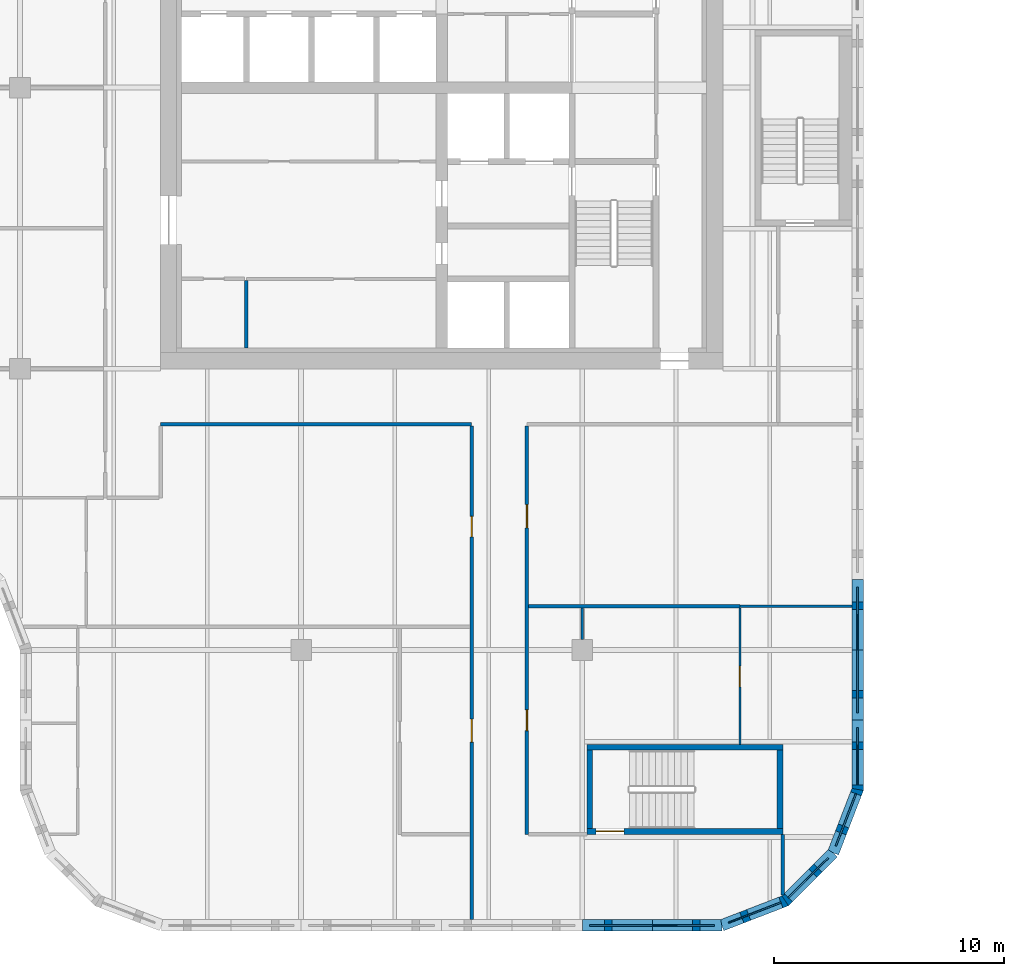
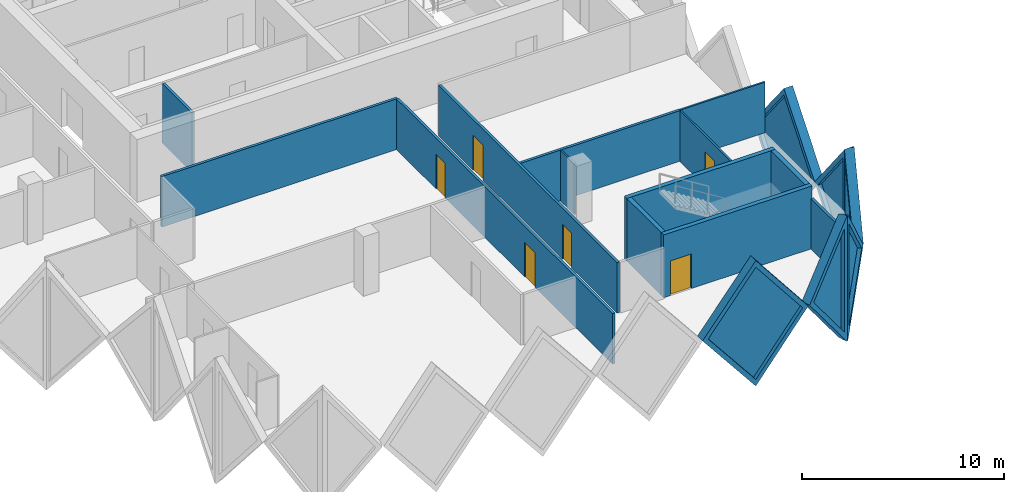
# One storey, part 5 of 13: 19 walls, 6 doors, 6 plates, 12 openings.
"""IFC4 building model written with IfcOpenShell, lengths in metres."""

from ifc_helpers import new_model, si_unit, direction, frame, frame_2d, origin, place, context, subcontext, project, spatial, polyline, rectangle, outline, extrude, faceted_brep, source, transform, mapped, material, layer, layer_set, type_object, element, fill, save


model = new_model("IFC4")

# Units and contexts
model_context = context("Model", 3, precision=1e-05, world=origin(), true_north=direction((0.0, 1.0)))
body_context = subcontext(model_context, "Body", "Model", "MODEL_VIEW")
ifc_project = project(units=[si_unit("LENGTHUNIT", "METRE"), si_unit("AREAUNIT", "SQUARE_METRE"), si_unit("VOLUMEUNIT", "CUBIC_METRE"), si_unit("PLANEANGLEUNIT", "RADIAN"), si_unit("MASSUNIT", "GRAM", prefix="KILO")], contexts=[model_context])

# Site, building, storey
site_placement = place(None, origin())
site = spatial("IfcSite", under=ifc_project, at=site_placement, CompositionType="ELEMENT")
building_placement = place(site_placement, origin())
building = spatial("IfcBuilding", under=site, at=building_placement, Name="Tessera Gate Towers", CompositionType="ELEMENT")
storey_placement = place(building_placement, frame((0.0, 0.0, 116.39990234375)))
storey = spatial("IfcBuildingStorey", under=building, at=storey_placement, Name="L28", CompositionType="ELEMENT", Elevation=116.39990234375)

# Wall, opening, door
ifc_material_1 = material(Name="Concrete C40/50", Category="concrete")
ifc_layer_1 = layer(ifc_material_1, 0.25)
ifc_layer_set_1 = layer_set([ifc_layer_1], Name="CORE ENCLOSURE WALL 250")
wall_type_1 = type_object("IfcWallType", Name="CORE ENCLOSURE WALL 250", PredefinedType="SOLIDWALL", material=ifc_layer_set_1)
wall_1_placement = place(storey_placement, frame((57.5, 4.324951171875, 0.0), z_axis=(0.0, 0.0, 1.0), x_axis=(-1.0, 0.0, 0.0)))
wall_1 = element("IfcWall", 1, at=wall_1_placement, inside=storey, type_object=wall_type_1, Name="L28 ST4 enclosure wall", PredefinedType="SOLIDWALL", context=body_context, shape_type="SweptSolid", body=[
    extrude(rectangle(XDim=8.5, YDim=0.25, at=frame_2d((4.25, 0.0))), origin(), (0.0, 0.0, 1.0), 3.800048828125),
])
shared_shape_1 = source(origin(), body_context, "Body", "SweptSolid", [
    extrude(rectangle(XDim=1.199951171875, YDim=2.10009765625, at=frame_2d((0.60009765625, 1.050048828125))), frame((0.0, 0.135009765625, 0.0), z_axis=(0.0, -1.0, 0.0), x_axis=(1.0, 0.0, 0.0)), (0.0, 0.0, 1.0), 0.27001953125),
])
opening_1_placement = place(wall_1_placement, frame((6.89990234375, 0.0, 0.0)))
opening_1 = element("IfcOpeningElement", 2, at=opening_1_placement, cuts=wall_1, Name="Opening SD-ST4-1", PredefinedType="OPENING", context=body_context, shape_type="MappedRepresentation", body=[
    mapped(shared_shape_1, transform((0.0, 0.0, 0.0), scale=1.0)),
])
ifc_material_2 = material(Name="Hollow steel fire door", Category="steel")
door_type_1 = type_object("IfcDoorType", Name="CORE DOOR SD 1200x2100", OperationType="NOTDEFINED", PredefinedType="DOOR", material=ifc_material_2)
shared_shape_2 = source(origin(), body_context, "Body", "SweptSolid", [
    extrude(rectangle(XDim=1.199951171875, YDim=2.10009765625, at=frame_2d((0.60009765625, 1.050048828125))), frame((0.0, 0.02490234375, 0.0), z_axis=(0.0, -1.0, 0.0), x_axis=(1.0, 0.0, 0.0)), (0.0, 0.0, 1.0), 0.050048828125),
])
door_1_placement = place(opening_1_placement, origin())
door_1 = element("IfcDoor", 3, at=door_1_placement, inside=storey, type_object=door_type_1, Name="Stair door", OperationType="SINGLE_SWING_RIGHT", OverallHeight=2.10009765625, OverallWidth=1.199951171875, PredefinedType="DOOR", context=body_context, shape_type="MappedRepresentation", body=[
    mapped(shared_shape_2, transform((0.0, 0.0, 0.0), scale=1.0)),
])
fill(opening_1, door_1)

# Walls
wall_2_placement = place(storey_placement, frame((49.125, 4.449951171875, 0.0), z_axis=(0.0, 0.0, 1.0), x_axis=(0.0, 1.0, 0.0)))
element("IfcWall", 4, at=wall_2_placement, inside=storey, type_object=wall_type_1, Name="L28 ST4 enclosure wall", PredefinedType="SOLIDWALL", context=body_context, shape_type="SweptSolid", body=[
    extrude(rectangle(XDim=3.400146484375, YDim=0.25, at=frame_2d((1.7001953125, 0.0))), origin(), (0.0, 0.0, 1.0), 3.800048828125),
])
wall_3_placement = place(storey_placement, frame((49.0, 7.97509765625, 0.0), z_axis=(0.0, 0.0, 1.0), x_axis=(1.0, 0.0, 0.0)))
element("IfcWall", 5, at=wall_3_placement, inside=storey, type_object=wall_type_1, Name="L28 ST4 enclosure wall", PredefinedType="SOLIDWALL", context=body_context, shape_type="SweptSolid", body=[
    extrude(rectangle(XDim=8.5, YDim=0.25, at=frame_2d((4.25, 0.0))), origin(), (0.0, 0.0, 1.0), 3.800048828125),
])
wall_4_placement = place(storey_placement, frame((57.375, 7.85009765625, 0.0), z_axis=(0.0, 0.0, 1.0), x_axis=(0.0, -1.0, 0.0)))
element("IfcWall", 6, at=wall_4_placement, inside=storey, type_object=wall_type_1, Name="L28 ST4 enclosure wall", PredefinedType="SOLIDWALL", context=body_context, shape_type="SweptSolid", body=[
    extrude(rectangle(XDim=3.400146484375, YDim=0.25, at=frame_2d((1.7001953125, 0.0))), origin(), (0.0, 0.0, 1.0), 3.800048828125),
])

# Wall, openings, doors
ifc_material_3 = material(Name="Gypsum board on steel studs, mineral wool", Category="steel")
ifc_layer_2 = layer(ifc_material_3, 0.14990234375)
ifc_layer_set_2 = layer_set([ifc_layer_2], Name="CORRIDOR WALL 150")
wall_type_2 = type_object("IfcWallType", Name="CORRIDOR WALL 150", PredefinedType="PARTITIONING", material=ifc_layer_set_2)
wall_5_placement = place(storey_placement, frame((44.0, 0.5, 0.0), z_axis=(0.0, 0.0, 1.0), x_axis=(0.0, 1.0, 0.0)))
wall_5 = element("IfcWall", 7, at=wall_5_placement, inside=storey, type_object=wall_type_2, Name="T1-L28-PW-001", PredefinedType="PARTITIONING", context=body_context, shape_type="SweptSolid", body=[
    extrude(rectangle(XDim=21.424072265625, YDim=0.14990234375, at=frame_2d((10.7119140625, 0.0))), origin(), (0.0, 0.0, 1.0), 3.067138671875),
])
shared_shape_3 = source(origin(), body_context, "Body", "SweptSolid", [
    extrude(rectangle(XDim=0.89990234375, YDim=2.10009765625, at=frame_2d((0.449951171875, 1.050048828125))), frame((0.0, 0.0849609375, 0.0), z_axis=(0.0, -1.0, 0.0), x_axis=(1.0, 0.0, 0.0)), (0.0, 0.0, 1.0), 0.169921875),
])
opening_2_placement = place(wall_5_placement, frame((16.60107421875, 0.0, 0.0)))
opening_2 = element("IfcOpeningElement", 8, at=opening_2_placement, cuts=wall_5, Name="Opening D890FD60-A10-06", PredefinedType="OPENING", context=body_context, shape_type="MappedRepresentation", body=[
    mapped(shared_shape_3, transform((0.0, 0.0, 0.0), scale=1.0)),
])
shared_shape_4 = source(origin(), body_context, "Body", "SweptSolid", [
    extrude(rectangle(XDim=1.0, YDim=2.10009765625, at=frame_2d((0.5, 1.050048828125))), frame((0.0, 0.0849609375, 0.0), z_axis=(0.0, -1.0, 0.0), x_axis=(1.0, 0.0, 0.0)), (0.0, 0.0, 1.0), 0.169921875),
])
opening_3_placement = place(wall_5_placement, frame((7.699951171875, 0.0, 0.0)))
opening_3 = element("IfcOpeningElement", 9, at=opening_3_placement, cuts=wall_5, Name="Opening D2100FD60-A10-05", PredefinedType="OPENING", context=body_context, shape_type="MappedRepresentation", body=[
    mapped(shared_shape_4, transform((0.0, 0.0, 0.0), scale=1.0)),
])
ifc_material_4 = material(Name="Timber door leaf in steel frame", Category="steel")
door_type_2 = type_object("IfcDoorType", Name="CORRIDOR DOOR 900 FD60", OperationType="NOTDEFINED", PredefinedType="DOOR", material=ifc_material_4)
shared_shape_5 = source(origin(), body_context, "Body", "SweptSolid", [
    extrude(rectangle(XDim=0.89990234375, YDim=2.10009765625, at=frame_2d((0.449951171875, 1.050048828125))), frame((0.0, 0.02490234375, 0.0), z_axis=(0.0, -1.0, 0.0), x_axis=(1.0, 0.0, 0.0)), (0.0, 0.0, 1.0), 0.050048828125),
])
door_2_placement = place(opening_2_placement, origin())
door_2 = element("IfcDoor", 10, at=door_2_placement, inside=storey, type_object=door_type_2, Name="T1-L28-PD-022", OperationType="SINGLE_SWING_LEFT", OverallHeight=2.10009765625, OverallWidth=0.89990234375, PredefinedType="DOOR", context=body_context, shape_type="MappedRepresentation", body=[
    mapped(shared_shape_5, transform((0.0, 0.0, 0.0), scale=1.0)),
])
fill(opening_2, door_2)
ifc_material_5 = material(Name="Timber door leaf in steel frame", Category="steel")
door_type_3 = type_object("IfcDoorType", Name="TENANCY ENTRANCE DOOR 1000 FD60", OperationType="NOTDEFINED", PredefinedType="DOOR", material=ifc_material_5)
shared_shape_6 = source(origin(), body_context, "Body", "SweptSolid", [
    extrude(rectangle(XDim=1.0, YDim=2.10009765625, at=frame_2d((0.5, 1.050048828125))), frame((0.0, 0.02490234375, 0.0), z_axis=(0.0, -1.0, 0.0), x_axis=(1.0, 0.0, 0.0)), (0.0, 0.0, 1.0), 0.050048828125),
])
door_3_placement = place(opening_3_placement, origin())
door_3 = element("IfcDoor", 11, at=door_3_placement, inside=storey, type_object=door_type_3, Name="T1-L28-PD-023", OperationType="SINGLE_SWING_LEFT", OverallHeight=2.10009765625, OverallWidth=1.0, PredefinedType="DOOR", context=body_context, shape_type="MappedRepresentation", body=[
    mapped(shared_shape_6, transform((0.0, 0.0, 0.0), scale=1.0)),
])
fill(opening_3, door_3)

# Wall
wall_6_placement = place(storey_placement, frame((57.5, 1.55908203125, 0.0), z_axis=(0.0, 0.0, 1.0), x_axis=(0.0, 1.0, 0.0)))
element("IfcWall", 12, at=wall_6_placement, inside=storey, type_object=wall_type_2, Name="T1-L28-PW-002", PredefinedType="PARTITIONING", context=body_context, shape_type="SweptSolid", body=[
    extrude(rectangle(XDim=2.640869140625, YDim=0.14990234375, at=frame_2d((1.3203125, 0.0))), origin(), (0.0, 0.0, 1.0), 3.067138671875),
])

# Wall, openings, doors
wall_7_placement = place(storey_placement, frame((46.39990234375, 21.924072265625, 0.0), z_axis=(0.0, 0.0, 1.0), x_axis=(0.0, -1.0, 0.0)))
wall_7 = element("IfcWall", 13, at=wall_7_placement, inside=storey, type_object=wall_type_2, Name="T1-L28-PW-007", PredefinedType="PARTITIONING", context=body_context, shape_type="SweptSolid", body=[
    extrude(rectangle(XDim=17.72412109375, YDim=0.14990234375, at=frame_2d((8.862060546875, 0.0))), origin(), (0.0, 0.0, 1.0), 3.067138671875),
])
opening_4_placement = place(wall_7_placement, frame((3.423095703125, 0.0, 0.0)))
opening_4 = element("IfcOpeningElement", 14, at=opening_4_placement, cuts=wall_7, Name="Opening D2100FD60-A10-04", PredefinedType="OPENING", context=body_context, shape_type="MappedRepresentation", body=[
    mapped(shared_shape_4, transform((0.0, 0.0, 0.0), scale=1.0)),
])
opening_5_placement = place(wall_7_placement, frame((12.323974609375, 0.0, 0.0)))
opening_5 = element("IfcOpeningElement", 15, at=opening_5_placement, cuts=wall_7, Name="Opening D890FD60-A10-07", PredefinedType="OPENING", context=body_context, shape_type="MappedRepresentation", body=[
    mapped(shared_shape_3, transform((0.0, 0.0, 0.0), scale=1.0)),
])
door_4_placement = place(opening_5_placement, origin())
door_4 = element("IfcDoor", 16, at=door_4_placement, inside=storey, type_object=door_type_2, Name="T1-L28-PD-025", OperationType="SINGLE_SWING_RIGHT", OverallHeight=2.10009765625, OverallWidth=0.89990234375, PredefinedType="DOOR", context=body_context, shape_type="MappedRepresentation", body=[
    mapped(shared_shape_5, transform((0.0, 0.0, 0.0), scale=1.0)),
])
fill(opening_5, door_4)
door_5_placement = place(opening_4_placement, origin())
door_5 = element("IfcDoor", 17, at=door_5_placement, inside=storey, type_object=door_type_3, Name="T1-L28-PD-018", OperationType="SINGLE_SWING_RIGHT", OverallHeight=2.10009765625, OverallWidth=1.0, PredefinedType="DOOR", context=body_context, shape_type="MappedRepresentation", body=[
    mapped(shared_shape_6, transform((0.0, 0.0, 0.0), scale=1.0)),
])
fill(opening_4, door_5)

# Wall
wall_8_placement = place(storey_placement, frame((30.5, 22.0, 0.0), z_axis=(0.0, 0.0, 1.0), x_axis=(1.0, 0.0, 0.0)))
element("IfcWall", 18, at=wall_8_placement, inside=storey, type_object=wall_type_2, Name="T1-L28-PW-025", PredefinedType="PARTITIONING", context=body_context, shape_type="SweptSolid", body=[
    extrude(rectangle(XDim=13.5, YDim=0.14990234375, at=frame_2d((6.75, 0.0))), origin(), (0.0, 0.0, 1.0), 3.067138671875),
])

# Wall, opening, door
ifc_material_6 = material(Name="Glass", Category="glass")
ifc_layer_3 = layer(ifc_material_6, 0.10009765625)
ifc_layer_set_3 = layer_set([ifc_layer_3], Name="GLAZED PARTITION 100")
wall_type_3 = type_object("IfcWallType", Name="GLAZED PARTITION 100", PredefinedType="PARTITIONING", material=ifc_layer_set_3)
wall_9_placement = place(storey_placement, frame((55.639892578125, 14.02392578125, 0.0), z_axis=(0.0, 0.0, 1.0), x_axis=(0.0, -1.0, 0.0)))
wall_9 = element("IfcWall", 19, at=wall_9_placement, inside=storey, type_object=wall_type_3, Name="T1-L28-PW-009", PredefinedType="PARTITIONING", context=body_context, shape_type="SweptSolid", body=[
    extrude(rectangle(XDim=5.923828125, YDim=0.10009765625, at=frame_2d((2.9619140625, 0.0))), origin(), (0.0, 0.0, 1.0), 3.067138671875),
])
shared_shape_7 = source(origin(), body_context, "Body", "SweptSolid", [
    extrude(rectangle(XDim=0.89990234375, YDim=2.10009765625, at=frame_2d((0.449951171875, 1.050048828125))), frame((0.0, 0.06005859375, 0.0), z_axis=(0.0, -1.0, 0.0), x_axis=(1.0, 0.0, 0.0)), (0.0, 0.0, 1.0), 0.1201171875),
])
opening_6_placement = place(wall_9_placement, frame((2.52392578125, 0.0, 0.0)))
opening_6 = element("IfcOpeningElement", 20, at=opening_6_placement, cuts=wall_9, Name="Opening D690-A10-03", PredefinedType="OPENING", context=body_context, shape_type="MappedRepresentation", body=[
    mapped(shared_shape_7, transform((0.0, 0.0, 0.0), scale=1.0)),
])
ifc_material_7 = material(Name="Glass in aluminium frame", Category="aluminium")
door_type_4 = type_object("IfcDoorType", Name="GLAZED DOOR 900 NOT RATED", OperationType="NOTDEFINED", PredefinedType="DOOR", material=ifc_material_7)
door_6_placement = place(opening_6_placement, origin())
door_6 = element("IfcDoor", 21, at=door_6_placement, inside=storey, type_object=door_type_4, Name="T1-L28-PD-010", OperationType="SINGLE_SWING_RIGHT", OverallHeight=2.10009765625, OverallWidth=0.89990234375, PredefinedType="DOOR", context=body_context, shape_type="MappedRepresentation", body=[
    mapped(shared_shape_5, transform((0.0, 0.0, 0.0), scale=1.0)),
])
fill(opening_6, door_6)

# Walls
wall_10_placement = place(storey_placement, frame((55.64111328125, 14.10009765625, 0.0), z_axis=(0.0, 0.0, 1.0), x_axis=(1.0, 0.0, 0.0)))
element("IfcWall", 22, at=wall_10_placement, inside=storey, type_object=wall_type_3, Name="T1-L28-PW-017", PredefinedType="PARTITIONING", context=body_context, shape_type="SweptSolid", body=[
    extrude(rectangle(XDim=4.85888671875, YDim=0.10009765625, at=frame_2d((2.429443359375, 0.0))), origin(), (0.0, 0.0, 1.0), 3.067138671875),
])
ifc_material_8 = material(Name="Gypsum board on steel studs", Category="steel")
ifc_layer_4 = layer(ifc_material_8, 0.10009765625)
ifc_layer_set_4 = layer_set([ifc_layer_4], Name="PARTITION 100")
wall_type_4 = type_object("IfcWallType", Name="PARTITION 100", PredefinedType="PARTITIONING", material=ifc_layer_set_4)
wall_11_placement = place(storey_placement, frame((48.800048828125, 12.64990234375, 0.0), z_axis=(0.0, 0.0, 1.0), x_axis=(0.0, 1.0, 0.0)))
element("IfcWall", 23, at=wall_11_placement, inside=storey, type_object=wall_type_4, Name="T1-L28-PW-011", PredefinedType="PARTITIONING", context=body_context, shape_type="SweptSolid", body=[
    extrude(rectangle(XDim=1.375, YDim=0.10009765625, at=frame_2d((0.6875, 0.0))), origin(), (0.0, 0.0, 1.0), 3.067138671875),
])
ifc_material_9 = material(Name="Gypsum board on steel studs", Category="steel")
ifc_layer_5 = layer(ifc_material_9, 0.14990234375)
ifc_layer_set_5 = layer_set([ifc_layer_5], Name="SERVICE ROOM WALL 150")
wall_type_5 = type_object("IfcWallType", Name="SERVICE ROOM WALL 150", PredefinedType="PARTITIONING", material=ifc_layer_set_5)
wall_12_placement = place(storey_placement, frame((34.22509765625, 25.300048828125, 0.0), z_axis=(0.0, 0.0, 1.0), x_axis=(0.0, 1.0, 0.0)))
element("IfcWall", 24, at=wall_12_placement, inside=storey, type_object=wall_type_5, Name="L28 service room wall", PredefinedType="PARTITIONING", context=body_context, shape_type="SweptSolid", body=[
    extrude(rectangle(XDim=2.93994140625, YDim=0.14990234375, at=frame_2d((1.469970703125, 0.0))), origin(), (0.0, 0.0, 1.0), 3.60009765625),
])
ifc_material_10 = material(Name="Gypsum board on steel studs, mineral wool", Category="steel")
ifc_layer_6 = layer(ifc_material_10, 0.14990234375)
ifc_layer_set_6 = layer_set([ifc_layer_6], Name="TENANCY WALL 150")
wall_type_6 = type_object("IfcWallType", Name="TENANCY WALL 150", PredefinedType="PARTITIONING", material=ifc_layer_set_6)
wall_13_placement = place(storey_placement, frame((46.47607421875, 14.10009765625, 0.0), z_axis=(0.0, 0.0, 1.0), x_axis=(1.0, 0.0, 0.0)))
element("IfcWall", 25, at=wall_13_placement, inside=storey, type_object=wall_type_6, Name="T1-L28-PW-016", PredefinedType="PARTITIONING", context=body_context, shape_type="SweptSolid", body=[
    extrude(rectangle(XDim=9.163818359375, YDim=0.14990234375, at=frame_2d((4.58203125, 0.0))), origin(), (0.0, 0.0, 1.0), 3.067138671875),
])

# Wall, opening, plate
ifc_material_11 = material(Name="Precast concrete C60/75 white", Category="concrete")
ifc_layer_7 = layer(ifc_material_11, 0.5)
ifc_layer_set_7 = layer_set([ifc_layer_7], Name="TS3 corner tessera")
wall_type_7 = type_object("IfcWallType", Name="TS3 corner tessera", PredefinedType="SOLIDWALL", material=ifc_layer_set_7)
shared_shape_8 = source(origin(), body_context, "Body", "Brep", [
    faceted_brep([(0.046630859375, -0.25, 0.0), (3.050048828125, -0.25, 3.7998046875), (0.046630859375, -0.25, 7.599853515625), (0.0, -0.25, 7.539794921875), (0.0, -0.25, 0.06005859375), (0.09326171875, 0.25, 7.541015625), (3.050048828125, 0.25, 3.7998046875), (0.09326171875, 0.25, 0.058837890625), (0.046630859375, 0.0, 0.0), (0.046630859375, 0.0, 7.599853515625)], [[[0, 1, 2, 3, 4]], [[5, 6, 7]], [[7, 6, 1, 0, 8]], [[6, 5, 9, 2, 1]], [[3, 2, 9]], [[8, 0, 4]], [[7, 8, 4, 3, 9, 5]]]),
])
wall_14_placement = place(storey_placement, frame((60.75, 6.099853515625, -3.7998046875), z_axis=(0.0, 0.0, 1.0), x_axis=(0.0, 1.0, 0.0)))
wall_14 = element("IfcWall", 26, at=wall_14_placement, inside=storey, type_object=wall_type_7, Name="Precast corner tessera T1 TS3-0628", PredefinedType="SOLIDWALL", context=body_context, shape_type="MappedRepresentation", body=[
    mapped(shared_shape_8, transform((0.0, 0.0, 0.0), scale=1.0)),
])
shared_shape_9 = source(origin(), body_context, "Body", "SweptSolid", [
    extrude(outline(polyline([(0.24658203125, 0.656005859375), (2.7314453125, 3.7998046875), (0.24658203125, 6.943603515625), (0.24658203125, 0.656005859375)])), frame((0.0, 0.260009765625, 0.0), z_axis=(0.0, -1.0, 0.0), x_axis=(1.0, 0.0, 0.0)), (0.0, 0.0, 1.0), 0.52001953125),
])
opening_7_placement = place(wall_14_placement, origin())
opening_7 = element("IfcOpeningElement", 27, at=opening_7_placement, cuts=wall_14, Name="Opening T1-PL2-0900", PredefinedType="OPENING", context=body_context, shape_type="MappedRepresentation", body=[
    mapped(shared_shape_9, transform((0.0, 0.0, 0.0), scale=1.0)),
])
ifc_material_12 = material(Name="Low-e laminated glass", Category="glass")
ifc_layer_8 = layer(ifc_material_12, 0.06005859375)
ifc_layer_set_8 = layer_set([ifc_layer_8], Name="PL2 rhombic pane")
plate_type = type_object("IfcPlateType", Name="PL2 rhombic pane", PredefinedType="SHEET", material=ifc_layer_set_8)
shared_shape_10 = source(origin(), body_context, "Body", "SweptSolid", [
    extrude(outline(polyline([(0.24658203125, 0.656005859375), (2.7314453125, 3.7998046875), (0.24658203125, 6.943603515625), (0.24658203125, 0.656005859375)])), frame((0.0, 0.030029296875, 0.0), z_axis=(0.0, -1.0, 0.0), x_axis=(1.0, 0.0, 0.0)), (0.0, 0.0, 1.0), 0.06005859375),
])
plate_1_placement = place(opening_7_placement, origin())
plate_1 = element("IfcPlate", 28, at=plate_1_placement, inside=storey, type_object=plate_type, Name="Glass pane T1 PL2-0900", PredefinedType="SHEET", context=body_context, shape_type="MappedRepresentation", body=[
    mapped(shared_shape_10, transform((0.0, 0.0, 0.0), scale=1.0)),
])
fill(opening_7, plate_1)

ifc_material_13 = material(Name="Precast concrete C60/75 white", Category="concrete")
ifc_layer_9 = layer(ifc_material_13, 0.5)
ifc_layer_set_9 = layer_set([ifc_layer_9], Name="TS1 tessera")
wall_type_8 = type_object("IfcWallType", Name="TS1 tessera", PredefinedType="SOLIDWALL", material=ifc_layer_set_9)
shared_shape_11 = source(origin(), body_context, "Body", "SweptSolid", [
    extrude(outline(polyline([(3.050048828125, 0.0), (6.10009765625, 3.7998046875), (3.050048828125, 7.599853515625), (0.0, 3.7998046875), (3.050048828125, 0.0)])), frame((0.0, 0.25, 0.0), z_axis=(0.0, -1.0, 0.0), x_axis=(1.0, 0.0, 0.0)), (0.0, 0.0, 1.0), 0.5),
])
wall_15_placement = place(storey_placement, frame((60.75, 9.14990234375, -3.7998046875), z_axis=(0.0, 0.0, 1.0), x_axis=(0.0, 1.0, 0.0)))
wall_15 = element("IfcWall", 29, at=wall_15_placement, inside=storey, type_object=wall_type_8, Name="Precast tessera T1 TS1-0441", PredefinedType="SOLIDWALL", context=body_context, shape_type="MappedRepresentation", body=[
    mapped(shared_shape_11, transform((0.0, 0.0, 0.0), scale=1.0)),
])
shared_shape_12 = source(origin(), body_context, "Body", "SweptSolid", [
    extrude(outline(polyline([(3.050048828125, 0.3994140625), (5.779541015625, 3.7998046875), (3.050048828125, 7.200439453125), (0.320556640625, 3.7998046875), (3.050048828125, 0.3994140625)])), frame((0.0, 0.260009765625, 0.0), z_axis=(0.0, -1.0, 0.0), x_axis=(1.0, 0.0, 0.0)), (0.0, 0.0, 1.0), 0.52001953125),
])
opening_8_placement = place(wall_15_placement, origin())
opening_8 = element("IfcOpeningElement", 30, at=opening_8_placement, cuts=wall_15, Name="Opening T1-PL2-0901", PredefinedType="OPENING", context=body_context, shape_type="MappedRepresentation", body=[
    mapped(shared_shape_12, transform((0.0, 0.0, 0.0), scale=1.0)),
])
shared_shape_13 = source(origin(), body_context, "Body", "SweptSolid", [
    extrude(outline(polyline([(3.050048828125, 0.3994140625), (5.779541015625, 3.7998046875), (3.050048828125, 7.200439453125), (0.320556640625, 3.7998046875), (3.050048828125, 0.3994140625)])), frame((0.0, 0.030029296875, 0.0), z_axis=(0.0, -1.0, 0.0), x_axis=(1.0, 0.0, 0.0)), (0.0, 0.0, 1.0), 0.06005859375),
])
plate_2_placement = place(opening_8_placement, origin())
plate_2 = element("IfcPlate", 31, at=plate_2_placement, inside=storey, type_object=plate_type, Name="Glass pane T1 PL2-0901", PredefinedType="SHEET", context=body_context, shape_type="MappedRepresentation", body=[
    mapped(shared_shape_13, transform((0.0, 0.0, 0.0), scale=1.0)),
])
fill(opening_8, plate_2)

shared_shape_14 = source(origin(), body_context, "Body", "Brep", [
    faceted_brep([(3.050048828125, -0.25, 0.0), (6.053466796875, -0.25, 3.7998046875), (3.050048828125, -0.25, 7.599853515625), (0.0, -0.25, 3.7998046875), (0.0, 0.25, 3.7998046875), (3.050048828125, 0.25, 7.599853515625), (6.0068359375, 0.25, 3.858642578125), (6.0068359375, 0.25, 3.740966796875), (3.050048828125, 0.25, 0.0), (6.053466796875, 0.0, 3.7998046875)], [[[0, 1, 2, 3]], [[4, 5, 6, 7, 8]], [[8, 7, 9, 1, 0]], [[6, 5, 2, 1, 9]], [[5, 4, 3, 2]], [[4, 8, 0, 3]], [[9, 7, 6]]]),
])
wall_16_placement = place(storey_placement, frame((48.800048828125, 0.25, -3.7998046875), z_axis=(0.0, 0.0, 1.0), x_axis=(1.0, 0.0, 0.0)))
wall_16 = element("IfcWall", 32, at=wall_16_placement, inside=storey, type_object=wall_type_8, Name="Precast tessera T1 TS1-0440", PredefinedType="SOLIDWALL", context=body_context, shape_type="MappedRepresentation", body=[
    mapped(shared_shape_14, transform((0.0, 0.0, 0.0), scale=1.0)),
])
shared_shape_15 = source(origin(), body_context, "Body", "SweptSolid", [
    extrude(outline(polyline([(3.048583984375, 0.401123046875), (5.73486328125, 3.7998046875), (3.048583984375, 7.19873046875), (0.320556640625, 3.7998046875), (3.048583984375, 0.401123046875)])), frame((0.0, 0.260009765625, 0.0), z_axis=(0.0, -1.0, 0.0), x_axis=(1.0, 0.0, 0.0)), (0.0, 0.0, 1.0), 0.52001953125),
])
opening_9_placement = place(wall_16_placement, origin())
opening_9 = element("IfcOpeningElement", 33, at=opening_9_placement, cuts=wall_16, Name="Opening T1-PL2-0896", PredefinedType="OPENING", context=body_context, shape_type="MappedRepresentation", body=[
    mapped(shared_shape_15, transform((0.0, 0.0, 0.0), scale=1.0)),
])
shared_shape_16 = source(origin(), body_context, "Body", "SweptSolid", [
    extrude(outline(polyline([(3.048583984375, 0.401123046875), (5.73486328125, 3.7998046875), (3.048583984375, 7.19873046875), (0.320556640625, 3.7998046875), (3.048583984375, 0.401123046875)])), frame((0.0, 0.030029296875, 0.0), z_axis=(0.0, -1.0, 0.0), x_axis=(1.0, 0.0, 0.0)), (0.0, 0.0, 1.0), 0.06005859375),
])
plate_3_placement = place(opening_9_placement, origin())
plate_3 = element("IfcPlate", 34, at=plate_3_placement, inside=storey, type_object=plate_type, Name="Glass pane T1 PL2-0896", PredefinedType="SHEET", context=body_context, shape_type="MappedRepresentation", body=[
    mapped(shared_shape_16, transform((0.0, 0.0, 0.0), scale=1.0)),
])
fill(opening_9, plate_3)

shared_shape_17 = source(origin(), body_context, "Body", "Brep", [
    faceted_brep([(2.950439453125, -0.25, 0.0), (2.9970703125, -0.25, 0.05908203125), (2.9970703125, -0.25, 7.540771484375), (2.950439453125, -0.25, 7.599853515625), (0.0, -0.25, 3.7998046875), (0.052978515625, 0.25, 3.867919921875), (2.904052734375, 0.25, 7.5400390625), (2.904052734375, 0.25, 0.059814453125), (0.052978515625, 0.25, 3.731689453125), (2.950439453125, 0.00048828125, 0.0), (2.950439453125, 0.00048828125, 7.599853515625), (0.0, 0.0, 3.7998046875)], [[[0, 1, 2, 3, 4]], [[5, 6, 7, 8]], [[1, 0, 9]], [[10, 3, 2]], [[6, 5, 11, 4, 3, 10]], [[8, 7, 9, 0, 4, 11]], [[8, 11, 5]], [[1, 9, 7, 6, 10, 2]]]),
])
wall_17_placement = place(storey_placement, frame((59.68798828125, 3.393798828125, -3.7998046875), z_axis=(0.0, 0.0, 1.0), x_axis=(0.359972353723, 0.932962970624, 0.0)))
wall_17 = element("IfcWall", 35, at=wall_17_placement, inside=storey, type_object=wall_type_7, Name="Precast corner tessera T1 TS3-0627", PredefinedType="SOLIDWALL", context=body_context, shape_type="MappedRepresentation", body=[
    mapped(shared_shape_17, transform((0.0, 0.0, 0.0), scale=1.0)),
])
shared_shape_18 = source(origin(), body_context, "Body", "SweptSolid", [
    extrude(outline(polyline([(2.75048828125, 6.9345703125), (0.31640625, 3.7998046875), (2.75048828125, 0.6650390625), (2.75048828125, 6.9345703125)])), frame((0.0, 0.260009765625, 0.0), z_axis=(0.0, -1.0, 0.0), x_axis=(1.0, 0.0, 0.0)), (0.0, 0.0, 1.0), 0.52001953125),
])
opening_10_placement = place(wall_17_placement, origin())
opening_10 = element("IfcOpeningElement", 36, at=opening_10_placement, cuts=wall_17, Name="Opening T1-PL2-0899", PredefinedType="OPENING", context=body_context, shape_type="MappedRepresentation", body=[
    mapped(shared_shape_18, transform((0.0, 0.0, 0.0), scale=1.0)),
])
shared_shape_19 = source(origin(), body_context, "Body", "SweptSolid", [
    extrude(outline(polyline([(2.75048828125, 6.9345703125), (0.31640625, 3.7998046875), (2.75048828125, 0.6650390625), (2.75048828125, 6.9345703125)])), frame((0.0, 0.030029296875, 0.0), z_axis=(0.0, -1.0, 0.0), x_axis=(1.0, 0.0, 0.0)), (0.0, 0.0, 1.0), 0.06005859375),
])
plate_4_placement = place(opening_10_placement, origin())
plate_4 = element("IfcPlate", 37, at=plate_4_placement, inside=storey, type_object=plate_type, Name="Glass pane T1 PL2-0899", PredefinedType="SHEET", context=body_context, shape_type="MappedRepresentation", body=[
    mapped(shared_shape_19, transform((0.0, 0.0, 0.0), scale=1.0)),
])
fill(opening_10, plate_4)

shared_shape_20 = source(origin(), body_context, "Body", "Brep", [
    faceted_brep([(0.052978515625, -0.25, 0.0), (2.9970703125, -0.25, 3.7998046875), (0.052978515625, -0.25, 7.599853515625), (0.0, -0.25, 7.53173828125), (0.0, -0.25, 0.068115234375), (0.10595703125, 0.25, 7.531494140625), (2.944091796875, 0.25, 3.867919921875), (2.944091796875, 0.25, 3.731689453125), (0.10595703125, 0.25, 0.068359375), (2.9970703125, 0.000244140625, 3.7998046875), (0.052978515625, 0.0, 0.0), (0.052978515625, 0.0, 7.599853515625)], [[[0, 1, 2, 3, 4]], [[5, 6, 7, 8]], [[8, 7, 9, 1, 0, 10]], [[6, 5, 11, 2, 1, 9]], [[3, 2, 11]], [[10, 0, 4]], [[8, 10, 4, 3, 11, 5]], [[9, 7, 6]]]),
])
wall_18_placement = place(storey_placement, frame((57.56884765625, 1.2744140625, -3.7998046875), z_axis=(0.0, 0.0, 1.0), x_axis=(0.707066050402, 0.707147509625, 0.0)))
wall_18 = element("IfcWall", 38, at=wall_18_placement, inside=storey, type_object=wall_type_7, Name="Precast corner tessera T1 TS3-0626", PredefinedType="SOLIDWALL", context=body_context, shape_type="MappedRepresentation", body=[
    mapped(shared_shape_20, transform((0.0, 0.0, 0.0), scale=1.0)),
])
shared_shape_21 = source(origin(), body_context, "Body", "SweptSolid", [
    extrude(outline(polyline([(0.2529296875, 0.666259765625), (2.680908203125, 3.7998046875), (0.2529296875, 6.93359375), (0.2529296875, 0.666259765625)])), frame((0.0, 0.260009765625, 0.0), z_axis=(0.0, -1.0, 0.0), x_axis=(1.0, 0.0, 0.0)), (0.0, 0.0, 1.0), 0.52001953125),
])
opening_11_placement = place(wall_18_placement, origin())
opening_11 = element("IfcOpeningElement", 39, at=opening_11_placement, cuts=wall_18, Name="Opening T1-PL2-0898", PredefinedType="OPENING", context=body_context, shape_type="MappedRepresentation", body=[
    mapped(shared_shape_21, transform((0.0, 0.0, 0.0), scale=1.0)),
])
shared_shape_22 = source(origin(), body_context, "Body", "SweptSolid", [
    extrude(outline(polyline([(0.2529296875, 0.666259765625), (2.680908203125, 3.7998046875), (0.2529296875, 6.93359375), (0.2529296875, 0.666259765625)])), frame((0.0, 0.030029296875, 0.0), z_axis=(0.0, -1.0, 0.0), x_axis=(1.0, 0.0, 0.0)), (0.0, 0.0, 1.0), 0.06005859375),
])
plate_5_placement = place(opening_11_placement, origin())
plate_5 = element("IfcPlate", 40, at=plate_5_placement, inside=storey, type_object=plate_type, Name="Glass pane T1 PL2-0898", PredefinedType="SHEET", context=body_context, shape_type="MappedRepresentation", body=[
    mapped(shared_shape_22, transform((0.0, 0.0, 0.0), scale=1.0)),
])
fill(opening_11, plate_5)

shared_shape_23 = source(origin(), body_context, "Body", "Brep", [
    faceted_brep([(2.950439453125, -0.25, 0.0), (3.00341796875, -0.25, 0.068359375), (3.00341796875, -0.25, 7.531494140625), (2.950439453125, -0.25, 7.599853515625), (0.0, -0.25, 3.7998046875), (0.046630859375, 0.25, 3.85986328125), (2.897705078125, 0.25, 7.53173828125), (2.897705078125, 0.25, 0.068115234375), (0.046630859375, 0.25, 3.73974609375), (2.950439453125, 0.00048828125, 0.0), (2.950439453125, 0.00048828125, 7.599853515625), (0.0, 0.0, 3.7998046875)], [[[0, 1, 2, 3, 4]], [[5, 6, 7, 8]], [[1, 0, 9]], [[10, 3, 2]], [[6, 5, 11, 4, 3, 10]], [[8, 7, 9, 0, 4, 11]], [[8, 11, 5]], [[1, 9, 7, 6, 10, 2]]]),
])
wall_19_placement = place(storey_placement, frame((54.853515625, 0.25, -3.7998046875), z_axis=(0.0, 0.0, 1.0), x_axis=(0.932970071518, 0.359953949349, 0.0)))
wall_19 = element("IfcWall", 41, at=wall_19_placement, inside=storey, type_object=wall_type_7, Name="Precast corner tessera T1 TS3-0625", PredefinedType="SOLIDWALL", context=body_context, shape_type="MappedRepresentation", body=[
    mapped(shared_shape_23, transform((0.0, 0.0, 0.0), scale=1.0)),
])
opening_12_placement = place(wall_19_placement, origin())
opening_12 = element("IfcOpeningElement", 42, at=opening_12_placement, cuts=wall_19, Name="Opening T1-PL2-0897", PredefinedType="OPENING", context=body_context, shape_type="MappedRepresentation", body=[
    mapped(shared_shape_18, transform((0.0, 0.0, 0.0), scale=1.0)),
])
plate_6_placement = place(opening_12_placement, origin())
plate_6 = element("IfcPlate", 43, at=plate_6_placement, inside=storey, type_object=plate_type, Name="Glass pane T1 PL2-0897", PredefinedType="SHEET", context=body_context, shape_type="MappedRepresentation", body=[
    mapped(shared_shape_19, transform((0.0, 0.0, 0.0), scale=1.0)),
])
fill(opening_12, plate_6)

save(model, "model.ifc")
